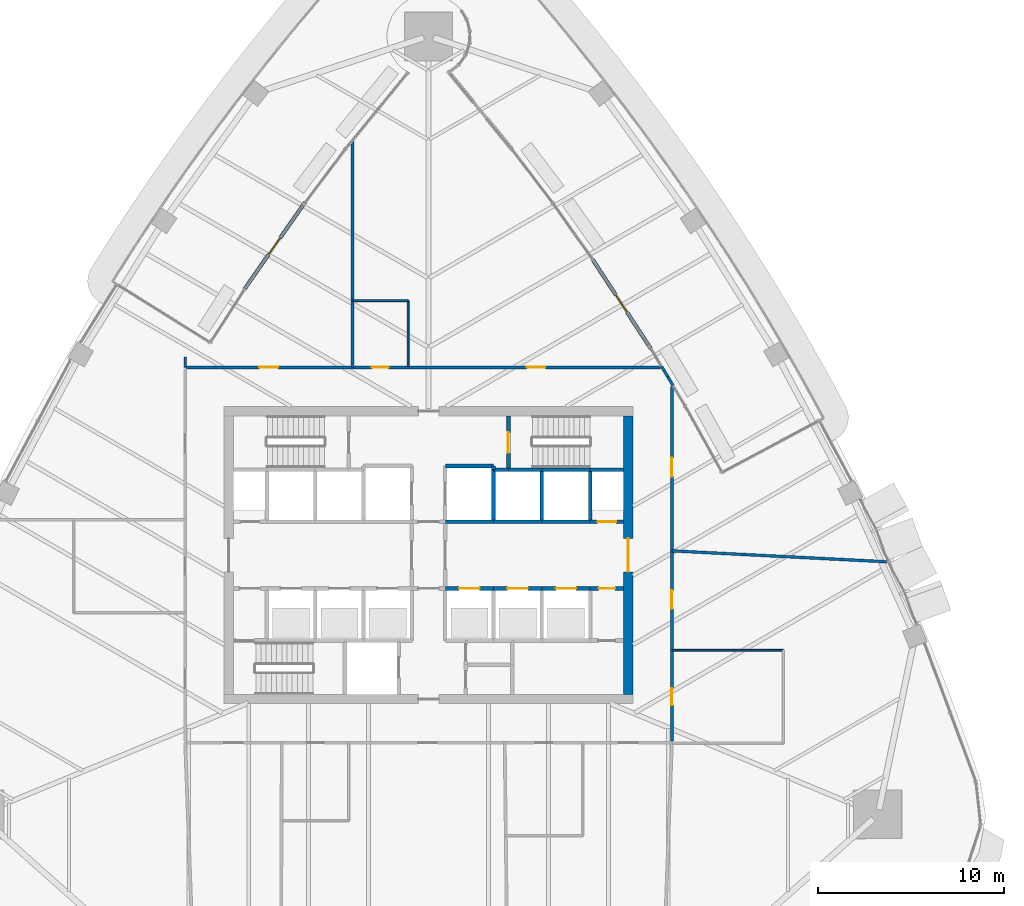
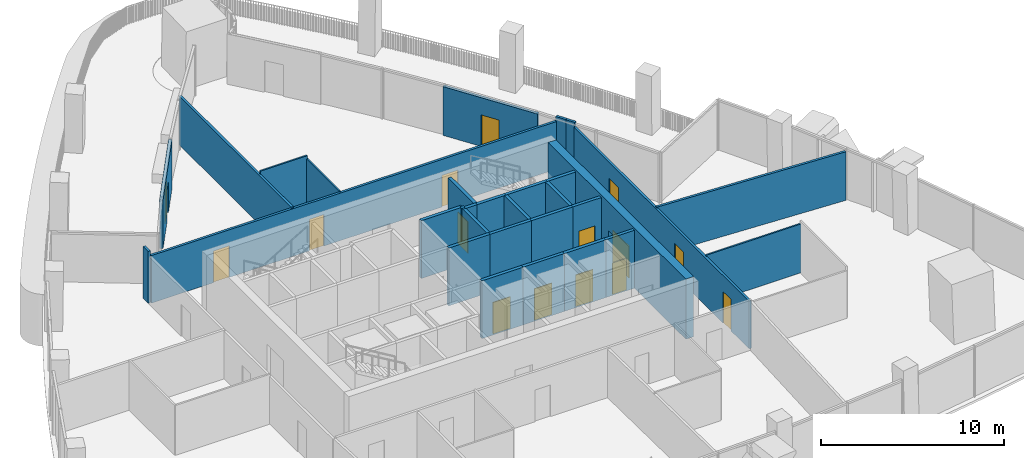
# One storey, part 15 of 21: 31 walls, 15 doors, 15 openings.
"""IFC4 building model written with IfcOpenShell, lengths in metres."""

from ifc_helpers import new_model, si_unit, direction, frame, frame_2d, origin, place, context, subcontext, project, spatial, rectangle, extrude, material, layer, layer_set, type_object, element, fill, save


model = new_model("IFC4")

# Units and contexts
model_context = context("Model", 3, precision=1e-05, world=origin(), true_north=direction((0.0, 1.0)))
body_context = subcontext(model_context, "Body", "Model", "MODEL_VIEW")
ifc_project = project(units=[si_unit("LENGTHUNIT", "METRE"), si_unit("AREAUNIT", "SQUARE_METRE"), si_unit("VOLUMEUNIT", "CUBIC_METRE"), si_unit("PLANEANGLEUNIT", "RADIAN"), si_unit("MASSUNIT", "GRAM", prefix="KILO")], contexts=[model_context])

# Site, building, storey
site_placement = place(None, origin())
site = spatial("IfcSite", under=ifc_project, at=site_placement, CompositionType="ELEMENT")
building_placement = place(site_placement, origin())
building = spatial("IfcBuilding", under=site, at=building_placement, Name="Sierra Prisma Convention Tower", CompositionType="ELEMENT")
storey_placement = place(building_placement, frame((0.0, 0.0, 157.800048828125)))
storey = spatial("IfcBuildingStorey", under=building, at=storey_placement, Name="L34", CompositionType="ELEMENT", Elevation=157.800048828125)

# Walls
ifc_material_1 = material(Name="Gypsum board partition", Category="gypsum")
ifc_layer_1 = layer(ifc_material_1, 0.10009765625)
ifc_layer_set_1 = layer_set([ifc_layer_1], Name="Bathroom partition 100")
wall_type_1 = type_object("IfcWallType", Name="Bathroom partition 100", PredefinedType="PARTITIONING", material=ifc_layer_set_1)
wall_1_placement = place(storey_placement, frame((-4.070068359375, 13.699951171875, 0.0), z_axis=(0.0, 0.0, 1.0), x_axis=(1.0, 0.0, 0.0)))
element("IfcWall", 1, at=wall_1_placement, inside=storey, type_object=wall_type_1, Name="Partition L34 bath 5", PredefinedType="PARTITIONING", context=body_context, shape_type="SweptSolid", body=[
    extrude(rectangle(XDim=2.969970703125, YDim=0.10009765625, at=frame_2d((1.48486328125, 0.0))), origin(), (0.0, 0.0, 1.0), 3.449951171875),
])
wall_2_placement = place(storey_placement, frame((-1.10009765625, 13.699951171875, 0.0), z_axis=(0.0, 0.0, 1.0), x_axis=(0.0, -1.0, 0.0)))
element("IfcWall", 2, at=wall_2_placement, inside=storey, type_object=wall_type_1, Name="Partition L34 bath 6", PredefinedType="PARTITIONING", context=body_context, shape_type="SweptSolid", body=[
    extrude(rectangle(XDim=3.570068359375, YDim=0.10009765625, at=frame_2d((1.78515625, 0.0))), origin(), (0.0, 0.0, 1.0), 3.2470703125),
])
wall_3_placement = place(storey_placement, frame((13.1298828125, -5.1201171875, 0.0), z_axis=(0.0, 0.0, 1.0), x_axis=(1.0, 0.0, 0.0)))
element("IfcWall", 3, at=wall_3_placement, inside=storey, type_object=wall_type_1, Name="Partition L34 bath 9", PredefinedType="PARTITIONING", context=body_context, shape_type="SweptSolid", body=[
    extrude(rectangle(XDim=5.97021484375, YDim=0.10009765625, at=frame_2d((2.985107421875, 0.0))), origin(), (0.0, 0.0, 1.0), 3.2470703125),
])

# Wall, opening, door
ifc_material_2 = material(Name="Concrete C30/37", Category="concrete")
ifc_layer_2 = layer(ifc_material_2, 0.199951171875)
ifc_layer_set_2 = layer_set([ifc_layer_2], Name="Core wall RC 200 C30/37")
wall_type_2 = type_object("IfcWallType", Name="Core wall RC 200 C30/37", PredefinedType="SOLIDWALL", material=ifc_layer_set_2)
wall_4_placement = place(storey_placement, frame((0.89990234375, -1.800048828125, 0.0), z_axis=(0.0, 0.0, 1.0), x_axis=(1.0, 0.0, 0.0)))
wall_4 = element("IfcWall", 4, at=wall_4_placement, inside=storey, type_object=wall_type_2, Name="Core wall L34 35", PredefinedType="SOLIDWALL", context=body_context, shape_type="SweptSolid", body=[
    extrude(rectangle(XDim=2.60009765625, YDim=0.199951171875, at=frame_2d((1.300048828125, 0.0))), origin(), (0.0, 0.0, 1.0), 3.849853515625),
])
opening_1_placement = place(wall_4_placement, frame((0.75, 0.0, 0.0)))
opening_1 = element("IfcOpeningElement", 5, at=opening_1_placement, cuts=wall_4, Name="Opening L34-D007", PredefinedType="OPENING", context=body_context, shape_type="SweptSolid", body=[
    extrude(rectangle(XDim=1.10009765625, YDim=2.10009765625, at=frame_2d((0.550048828125, 1.050048828125))), frame((0.0, 0.10009765625, 0.0), z_axis=(0.0, -1.0, 0.0), x_axis=(1.0, 0.0, 0.0)), (0.0, 0.0, 1.0), 0.199951171875),
])
ifc_material_3 = material(Name="Steel fire door leaf", Category="steel")
door_type_1 = type_object("IfcDoorType", Name="Door 1100x2100 EI 90 sliding lift landing", OperationType="SLIDING_TO_LEFT", PredefinedType="DOOR", material=ifc_material_3)
door_1_placement = place(opening_1_placement, origin())
door_1 = element("IfcDoor", 6, at=door_1_placement, inside=storey, type_object=door_type_1, Name="Door L34 18", OperationType="SLIDING_TO_RIGHT", OverallHeight=2.10009765625, OverallWidth=1.10009765625, PredefinedType="DOOR", context=body_context, shape_type="SweptSolid", body=[
    extrude(rectangle(XDim=1.10009765625, YDim=2.10009765625, at=frame_2d((0.550048828125, 1.050048828125))), frame((0.0, 0.02490234375, 0.0), z_axis=(0.0, -1.0, 0.0), x_axis=(1.0, 0.0, 0.0)), (0.0, 0.0, 1.0), 0.050048828125),
])
fill(opening_1, door_1)

# Walls
wall_5_placement = place(storey_placement, frame((3.5, 1.800048828125, 0.0), z_axis=(0.0, 0.0, 1.0), x_axis=(-1.0, 0.0, 0.0)))
element("IfcWall", 7, at=wall_5_placement, inside=storey, type_object=wall_type_2, Name="Core wall L34 39", PredefinedType="SOLIDWALL", context=body_context, shape_type="SweptSolid", body=[
    extrude(rectangle(XDim=2.60009765625, YDim=0.199951171875, at=frame_2d((1.300048828125, 0.0))), origin(), (0.0, 0.0, 1.0), 3.849853515625),
])
wall_6_placement = place(storey_placement, frame((3.5, 4.60009765625, 0.0), z_axis=(0.0, 0.0, 1.0), x_axis=(0.0, 1.0, 0.0)))
element("IfcWall", 8, at=wall_6_placement, inside=storey, type_object=wall_type_2, Name="Core wall L34 40", PredefinedType="SOLIDWALL", context=body_context, shape_type="SweptSolid", body=[
    extrude(rectangle(XDim=0.199951171875, YDim=0.199951171875, at=frame_2d((0.10009765625, 0.0))), origin(), (0.0, 0.0, 1.0), 3.849853515625),
])
wall_7_placement = place(storey_placement, frame((3.5, 4.800048828125, 0.0), z_axis=(0.0, 0.0, 1.0), x_axis=(-1.0, 0.0, 0.0)))
element("IfcWall", 9, at=wall_7_placement, inside=storey, type_object=wall_type_2, Name="Core wall L34 41", PredefinedType="SOLIDWALL", context=body_context, shape_type="SweptSolid", body=[
    extrude(rectangle(XDim=2.60009765625, YDim=0.199951171875, at=frame_2d((1.300048828125, 0.0))), origin(), (0.0, 0.0, 1.0), 3.849853515625),
])

# Wall, opening, door
wall_8_placement = place(storey_placement, frame((3.5, -1.800048828125, 0.0), z_axis=(0.0, 0.0, 1.0), x_axis=(1.0, 0.0, 0.0)))
wall_8 = element("IfcWall", 10, at=wall_8_placement, inside=storey, type_object=wall_type_2, Name="Core wall L34 49", PredefinedType="SOLIDWALL", context=body_context, shape_type="SweptSolid", body=[
    extrude(rectangle(XDim=2.60009765625, YDim=0.199951171875, at=frame_2d((1.300048828125, 0.0))), origin(), (0.0, 0.0, 1.0), 3.849853515625),
])
opening_2_placement = place(wall_8_placement, frame((0.75, 0.0, 0.0)))
opening_2 = element("IfcOpeningElement", 11, at=opening_2_placement, cuts=wall_8, Name="Opening L34-D008", PredefinedType="OPENING", context=body_context, shape_type="SweptSolid", body=[
    extrude(rectangle(XDim=1.10009765625, YDim=2.10009765625, at=frame_2d((0.550048828125, 1.050048828125))), frame((0.0, 0.10009765625, 0.0), z_axis=(0.0, -1.0, 0.0), x_axis=(1.0, 0.0, 0.0)), (0.0, 0.0, 1.0), 0.199951171875),
])
door_2_placement = place(opening_2_placement, origin())
door_2 = element("IfcDoor", 12, at=door_2_placement, inside=storey, type_object=door_type_1, Name="Door L34 19", OperationType="SLIDING_TO_LEFT", OverallHeight=2.10009765625, OverallWidth=1.10009765625, PredefinedType="DOOR", context=body_context, shape_type="SweptSolid", body=[
    extrude(rectangle(XDim=1.10009765625, YDim=2.10009765625, at=frame_2d((0.550048828125, 1.050048828125))), frame((0.0, 0.02490234375, 0.0), z_axis=(0.0, -1.0, 0.0), x_axis=(1.0, 0.0, 0.0)), (0.0, 0.0, 1.0), 0.050048828125),
])
fill(opening_2, door_2)

# Walls
wall_9_placement = place(storey_placement, frame((6.10009765625, 1.800048828125, 0.0), z_axis=(0.0, 0.0, 1.0), x_axis=(-1.0, 0.0, 0.0)))
element("IfcWall", 13, at=wall_9_placement, inside=storey, type_object=wall_type_2, Name="Core wall L34 50", PredefinedType="SOLIDWALL", context=body_context, shape_type="SweptSolid", body=[
    extrude(rectangle(XDim=2.60009765625, YDim=0.199951171875, at=frame_2d((1.300048828125, 0.0))), origin(), (0.0, 0.0, 1.0), 3.849853515625),
])
wall_10_placement = place(storey_placement, frame((3.5, 1.800048828125, 0.0), z_axis=(0.0, 0.0, 1.0), x_axis=(0.0, 1.0, 0.0)))
element("IfcWall", 14, at=wall_10_placement, inside=storey, type_object=wall_type_2, Name="Core wall L34 51", PredefinedType="SOLIDWALL", context=body_context, shape_type="SweptSolid", body=[
    extrude(rectangle(XDim=2.800048828125, YDim=0.199951171875, at=frame_2d((1.39990234375, 0.0))), origin(), (0.0, 0.0, 1.0), 3.849853515625),
])
wall_11_placement = place(storey_placement, frame((4.300048828125, 4.60009765625, 0.0), z_axis=(0.0, 0.0, 1.0), x_axis=(-1.0, 0.0, 0.0)))
element("IfcWall", 15, at=wall_11_placement, inside=storey, type_object=wall_type_2, Name="Core wall L34 52", PredefinedType="SOLIDWALL", context=body_context, shape_type="SweptSolid", body=[
    extrude(rectangle(XDim=0.800048828125, YDim=0.199951171875, at=frame_2d((0.39990234375, 0.0))), origin(), (0.0, 0.0, 1.0), 3.849853515625),
])
wall_12_placement = place(storey_placement, frame((6.10009765625, 4.60009765625, 0.0), z_axis=(0.0, 0.0, 1.0), x_axis=(-1.0, 0.0, 0.0)))
element("IfcWall", 16, at=wall_12_placement, inside=storey, type_object=wall_type_2, Name="Core wall L34 53", PredefinedType="SOLIDWALL", context=body_context, shape_type="SweptSolid", body=[
    extrude(rectangle(XDim=1.800048828125, YDim=0.199951171875, at=frame_2d((0.89990234375, 0.0))), origin(), (0.0, 0.0, 1.0), 3.849853515625),
])

# Wall, opening, door
wall_13_placement = place(storey_placement, frame((4.300048828125, 7.5, 0.0), z_axis=(0.0, 0.0, 1.0), x_axis=(0.0, -1.0, 0.0)))
wall_13 = element("IfcWall", 17, at=wall_13_placement, inside=storey, type_object=wall_type_2, Name="Core wall L34 54", PredefinedType="SOLIDWALL", context=body_context, shape_type="SweptSolid", body=[
    extrude(rectangle(XDim=2.89990234375, YDim=0.199951171875, at=frame_2d((1.449951171875, 0.0))), origin(), (0.0, 0.0, 1.0), 3.849853515625),
])
opening_3_placement = place(wall_13_placement, frame((0.89990234375, 0.0, 0.0)))
opening_3 = element("IfcOpeningElement", 18, at=opening_3_placement, cuts=wall_13, Name="Opening L34-D022", PredefinedType="OPENING", context=body_context, shape_type="SweptSolid", body=[
    extrude(rectangle(XDim=1.10009765625, YDim=2.10009765625, at=frame_2d((0.550048828125, 1.050048828125))), frame((0.0, 0.10009765625, 0.0), z_axis=(0.0, -1.0, 0.0), x_axis=(1.0, 0.0, 0.0)), (0.0, 0.0, 1.0), 0.199951171875),
])
ifc_material_4 = material(Name="Steel fire door leaf", Category="steel")
door_type_2 = type_object("IfcDoorType", Name="Door 1100x2100 FD90S", OperationType="SINGLE_SWING_LEFT", PredefinedType="DOOR", material=ifc_material_4)
door_3_placement = place(opening_3_placement, origin())
door_3 = element("IfcDoor", 19, at=door_3_placement, inside=storey, type_object=door_type_2, Name="Door L34 33", OperationType="SINGLE_SWING_RIGHT", OverallHeight=2.10009765625, OverallWidth=1.10009765625, PredefinedType="DOOR", context=body_context, shape_type="SweptSolid", body=[
    extrude(rectangle(XDim=1.10009765625, YDim=2.10009765625, at=frame_2d((0.550048828125, 1.050048828125))), frame((0.0, 0.02490234375, 0.0), z_axis=(0.0, -1.0, 0.0), x_axis=(1.0, 0.0, 0.0)), (0.0, 0.0, 1.0), 0.050048828125),
])
fill(opening_3, door_3)

wall_14_placement = place(storey_placement, frame((6.10009765625, -1.800048828125, 0.0), z_axis=(0.0, 0.0, 1.0), x_axis=(1.0, 0.0, 0.0)))
wall_14 = element("IfcWall", 20, at=wall_14_placement, inside=storey, type_object=wall_type_2, Name="Core wall L34 60", PredefinedType="SOLIDWALL", context=body_context, shape_type="SweptSolid", body=[
    extrude(rectangle(XDim=2.599853515625, YDim=0.199951171875, at=frame_2d((1.2998046875, 0.0))), origin(), (0.0, 0.0, 1.0), 3.849853515625),
])
opening_4_placement = place(wall_14_placement, frame((0.75, 0.0, 0.0)))
opening_4 = element("IfcOpeningElement", 21, at=opening_4_placement, cuts=wall_14, Name="Opening L34-D009", PredefinedType="OPENING", context=body_context, shape_type="SweptSolid", body=[
    extrude(rectangle(XDim=1.10009765625, YDim=2.10009765625, at=frame_2d((0.550048828125, 1.050048828125))), frame((0.0, 0.10009765625, 0.0), z_axis=(0.0, -1.0, 0.0), x_axis=(1.0, 0.0, 0.0)), (0.0, 0.0, 1.0), 0.199951171875),
])
door_4_placement = place(opening_4_placement, origin())
door_4 = element("IfcDoor", 22, at=door_4_placement, inside=storey, type_object=door_type_1, Name="Door L34 20", OperationType="SLIDING_TO_LEFT", OverallHeight=2.10009765625, OverallWidth=1.10009765625, PredefinedType="DOOR", context=body_context, shape_type="SweptSolid", body=[
    extrude(rectangle(XDim=1.10009765625, YDim=2.10009765625, at=frame_2d((0.550048828125, 1.050048828125))), frame((0.0, 0.02490234375, 0.0), z_axis=(0.0, -1.0, 0.0), x_axis=(1.0, 0.0, 0.0)), (0.0, 0.0, 1.0), 0.050048828125),
])
fill(opening_4, door_4)

# Walls
wall_15_placement = place(storey_placement, frame((8.699951171875, 1.800048828125, 0.0), z_axis=(0.0, 0.0, 1.0), x_axis=(-1.0, 0.0, 0.0)))
element("IfcWall", 23, at=wall_15_placement, inside=storey, type_object=wall_type_2, Name="Core wall L34 61", PredefinedType="SOLIDWALL", context=body_context, shape_type="SweptSolid", body=[
    extrude(rectangle(XDim=2.599853515625, YDim=0.199951171875, at=frame_2d((1.2998046875, 0.0))), origin(), (0.0, 0.0, 1.0), 3.849853515625),
])
wall_16_placement = place(storey_placement, frame((6.10009765625, 1.800048828125, 0.0), z_axis=(0.0, 0.0, 1.0), x_axis=(0.0, 1.0, 0.0)))
element("IfcWall", 24, at=wall_16_placement, inside=storey, type_object=wall_type_2, Name="Core wall L34 62", PredefinedType="SOLIDWALL", context=body_context, shape_type="SweptSolid", body=[
    extrude(rectangle(XDim=2.800048828125, YDim=0.199951171875, at=frame_2d((1.39990234375, 0.0))), origin(), (0.0, 0.0, 1.0), 3.849853515625),
])
wall_17_placement = place(storey_placement, frame((8.699951171875, 4.60009765625, 0.0), z_axis=(0.0, 0.0, 1.0), x_axis=(-1.0, 0.0, 0.0)))
element("IfcWall", 25, at=wall_17_placement, inside=storey, type_object=wall_type_2, Name="Core wall L34 63", PredefinedType="SOLIDWALL", context=body_context, shape_type="SweptSolid", body=[
    extrude(rectangle(XDim=2.599853515625, YDim=0.199951171875, at=frame_2d((1.2998046875, 0.0))), origin(), (0.0, 0.0, 1.0), 3.849853515625),
])

# Wall, opening, door
wall_18_placement = place(storey_placement, frame((8.699951171875, -1.800048828125, 0.0), z_axis=(0.0, 0.0, 1.0), x_axis=(1.0, 0.0, 0.0)))
wall_18 = element("IfcWall", 26, at=wall_18_placement, inside=storey, type_object=wall_type_2, Name="Core wall L34 66", PredefinedType="SOLIDWALL", context=body_context, shape_type="SweptSolid", body=[
    extrude(rectangle(XDim=1.800048828125, YDim=0.199951171875, at=frame_2d((0.89990234375, 0.0))), origin(), (0.0, 0.0, 1.0), 3.849853515625),
])
opening_5_placement = place(wall_18_placement, frame((0.449951171875, 0.0, 0.0)))
opening_5 = element("IfcOpeningElement", 27, at=opening_5_placement, cuts=wall_18, Name="Opening L34-D024", PredefinedType="OPENING", context=body_context, shape_type="SweptSolid", body=[
    extrude(rectangle(XDim=0.89990234375, YDim=2.10009765625, at=frame_2d((0.449951171875, 1.050048828125))), frame((0.0, 0.10009765625, 0.0), z_axis=(0.0, -1.0, 0.0), x_axis=(1.0, 0.0, 0.0)), (0.0, 0.0, 1.0), 0.199951171875),
])
ifc_material_5 = material(Name="Steel fire door leaf", Category="steel")
door_type_3 = type_object("IfcDoorType", Name="Door 900x2100 FD30S", OperationType="SINGLE_SWING_LEFT", PredefinedType="DOOR", material=ifc_material_5)
door_5_placement = place(opening_5_placement, origin())
door_5 = element("IfcDoor", 28, at=door_5_placement, inside=storey, type_object=door_type_3, Name="Door L34 35", OperationType="SINGLE_SWING_RIGHT", OverallHeight=2.10009765625, OverallWidth=0.89990234375, PredefinedType="DOOR", context=body_context, shape_type="SweptSolid", body=[
    extrude(rectangle(XDim=0.89990234375, YDim=2.10009765625, at=frame_2d((0.449951171875, 1.050048828125))), frame((0.0, 0.02490234375, 0.0), z_axis=(0.0, -1.0, 0.0), x_axis=(1.0, 0.0, 0.0)), (0.0, 0.0, 1.0), 0.050048828125),
])
fill(opening_5, door_5)

wall_19_placement = place(storey_placement, frame((10.5, 1.800048828125, 0.0), z_axis=(0.0, 0.0, 1.0), x_axis=(-1.0, 0.0, 0.0)))
wall_19 = element("IfcWall", 29, at=wall_19_placement, inside=storey, type_object=wall_type_2, Name="Core wall L34 67", PredefinedType="SOLIDWALL", context=body_context, shape_type="SweptSolid", body=[
    extrude(rectangle(XDim=1.800048828125, YDim=0.199951171875, at=frame_2d((0.89990234375, 0.0))), origin(), (0.0, 0.0, 1.0), 3.849853515625),
])
opening_6_placement = place(wall_19_placement, frame((0.39990234375, 0.0, 0.0)))
opening_6 = element("IfcOpeningElement", 30, at=opening_6_placement, cuts=wall_19, Name="Opening L34-D019", PredefinedType="OPENING", context=body_context, shape_type="SweptSolid", body=[
    extrude(rectangle(XDim=1.0, YDim=2.10009765625, at=frame_2d((0.5, 1.050048828125))), frame((0.0, 0.10009765625, 0.0), z_axis=(0.0, -1.0, 0.0), x_axis=(1.0, 0.0, 0.0)), (0.0, 0.0, 1.0), 0.199951171875),
])
ifc_material_6 = material(Name="Steel fire door leaf", Category="steel")
door_type_4 = type_object("IfcDoorType", Name="Door 1000x2100 FD60S", OperationType="SINGLE_SWING_LEFT", PredefinedType="DOOR", material=ifc_material_6)
door_6_placement = place(opening_6_placement, origin())
door_6 = element("IfcDoor", 31, at=door_6_placement, inside=storey, type_object=door_type_4, Name="Door L34 30", OperationType="SINGLE_SWING_LEFT", OverallHeight=2.10009765625, OverallWidth=1.0, PredefinedType="DOOR", context=body_context, shape_type="SweptSolid", body=[
    extrude(rectangle(XDim=1.0, YDim=2.10009765625, at=frame_2d((0.5, 1.050048828125))), frame((0.0, 0.02490234375, 0.0), z_axis=(0.0, -1.0, 0.0), x_axis=(1.0, 0.0, 0.0)), (0.0, 0.0, 1.0), 0.050048828125),
])
fill(opening_6, door_6)

# Walls
wall_20_placement = place(storey_placement, frame((8.699951171875, 4.60009765625, 0.0), z_axis=(0.0, 0.0, 1.0), x_axis=(0.0, -1.0, 0.0)))
element("IfcWall", 32, at=wall_20_placement, inside=storey, type_object=wall_type_2, Name="Core wall L34 68", PredefinedType="SOLIDWALL", context=body_context, shape_type="SweptSolid", body=[
    extrude(rectangle(XDim=2.800048828125, YDim=0.199951171875, at=frame_2d((1.39990234375, 0.0))), origin(), (0.0, 0.0, 1.0), 3.849853515625),
])
wall_21_placement = place(storey_placement, frame((10.5, 4.60009765625, 0.0), z_axis=(0.0, 0.0, 1.0), x_axis=(-1.0, 0.0, 0.0)))
element("IfcWall", 33, at=wall_21_placement, inside=storey, type_object=wall_type_2, Name="Core wall L34 69", PredefinedType="SOLIDWALL", context=body_context, shape_type="SweptSolid", body=[
    extrude(rectangle(XDim=1.800048828125, YDim=0.199951171875, at=frame_2d((0.89990234375, 0.0))), origin(), (0.0, 0.0, 1.0), 3.849853515625),
])

# Wall, opening, door
ifc_material_7 = material(Name="Concrete C60/75", Category="concrete")
ifc_layer_3 = layer(ifc_material_7, 0.5)
ifc_layer_set_3 = layer_set([ifc_layer_3], Name="Core wall RC 500 C60/75")
wall_type_3 = type_object("IfcWallType", Name="Core wall RC 500 C60/75", PredefinedType="SHEAR", material=ifc_layer_set_3)
wall_22_placement = place(storey_placement, frame((10.75, -7.5, 0.0), z_axis=(0.0, 0.0, 1.0), x_axis=(0.0, 1.0, 0.0)))
wall_22 = element("IfcWall", 34, at=wall_22_placement, inside=storey, type_object=wall_type_3, Name="Core wall E L34", PredefinedType="SHEAR", context=body_context, shape_type="SweptSolid", body=[
    extrude(rectangle(XDim=15.0, YDim=0.5, at=frame_2d((7.5, 0.0))), origin(), (0.0, 0.0, 1.0), 4.0),
])
opening_7_placement = place(wall_22_placement, frame((6.60009765625, 0.0, 0.0)))
opening_7 = element("IfcOpeningElement", 35, at=opening_7_placement, cuts=wall_22, Name="Opening L34-D041", PredefinedType="OPENING", context=body_context, shape_type="SweptSolid", body=[
    extrude(rectangle(XDim=1.800048828125, YDim=2.10009765625, at=frame_2d((0.89990234375, 1.050048828125))), frame((0.0, 0.25, 0.0), z_axis=(0.0, -1.0, 0.0), x_axis=(1.0, 0.0, 0.0)), (0.0, 0.0, 1.0), 0.5),
])
ifc_material_8 = material(Name="Steel fire door leaf", Category="steel")
door_type_5 = type_object("IfcDoorType", Name="Door 1800x2100 FD60S", OperationType="DOUBLE_DOOR_SINGLE_SWING", PredefinedType="DOOR", material=ifc_material_8)
door_7_placement = place(opening_7_placement, origin())
door_7 = element("IfcDoor", 36, at=door_7_placement, inside=storey, type_object=door_type_5, Name="Door L34 39", OperationType="DOUBLE_DOOR_SINGLE_SWING", OverallHeight=2.10009765625, OverallWidth=1.800048828125, PredefinedType="DOOR", context=body_context, shape_type="SweptSolid", body=[
    extrude(rectangle(XDim=1.800048828125, YDim=2.10009765625, at=frame_2d((0.89990234375, 1.050048828125))), frame((0.0, 0.02490234375, 0.0), z_axis=(0.0, -1.0, 0.0), x_axis=(1.0, 0.0, 0.0)), (0.0, 0.0, 1.0), 0.050048828125),
])
fill(opening_7, door_7)

# Wall
ifc_material_9 = material(Name="Gypsum board partition", Category="gypsum")
ifc_layer_4 = layer(ifc_material_9, 0.14990234375)
ifc_layer_set_4 = layer_set([ifc_layer_4], Name="Corridor wall 150 gypsum EI 60")
wall_type_4 = type_object("IfcWallType", Name="Corridor wall 150 gypsum EI 60", PredefinedType="PARTITIONING", material=ifc_layer_set_4)
wall_23_placement = place(storey_placement, frame((12.88427734375, 9.594482421875, 0.0), z_axis=(0.0, 0.0, 1.0), x_axis=(-0.520280350627, 0.853995525019, 0.0)))
element("IfcWall", 37, at=wall_23_placement, inside=storey, type_object=wall_type_4, Name="Partition L34 corr 3", PredefinedType="PARTITIONING", context=body_context, shape_type="SweptSolid", body=[
    extrude(rectangle(XDim=0.650390625, YDim=0.14990234375, at=frame_2d((0.3251953125, 0.0))), origin(), (0.0, 0.0, 1.0), 3.449951171875),
])

# Wall, openings, doors
wall_24_placement = place(storey_placement, frame((12.483642578125, 10.10009765625, 0.0), z_axis=(0.0, 0.0, 1.0), x_axis=(-1.0, 0.0, 0.0)))
wall_24 = element("IfcWall", 38, at=wall_24_placement, inside=storey, type_object=wall_type_4, Name="Partition L34 corr 4", PredefinedType="PARTITIONING", context=body_context, shape_type="SweptSolid", body=[
    extrude(rectangle(XDim=25.503662109375, YDim=0.14990234375, at=frame_2d((12.751953125, 0.0))), origin(), (0.0, 0.0, 1.0), 3.166015625),
])
opening_8_placement = place(wall_24_placement, frame((14.6337890625, 0.0, 0.0)))
opening_8 = element("IfcOpeningElement", 39, at=opening_8_placement, cuts=wall_24, Name="Opening L34-D028", PredefinedType="OPENING", context=body_context, shape_type="SweptSolid", body=[
    extrude(rectangle(XDim=0.89990234375, YDim=2.10009765625, at=frame_2d((0.449951171875, 1.050048828125))), frame((0.0, 0.074951171875, 0.0), z_axis=(0.0, -1.0, 0.0), x_axis=(1.0, 0.0, 0.0)), (0.0, 0.0, 1.0), 0.14990234375),
])
opening_9_placement = place(wall_24_placement, frame((6.195556640625, 0.0, 0.0)))
opening_9 = element("IfcOpeningElement", 40, at=opening_9_placement, cuts=wall_24, Name="Opening L34-D029", PredefinedType="OPENING", context=body_context, shape_type="SweptSolid", body=[
    extrude(rectangle(XDim=1.0, YDim=2.10009765625, at=frame_2d((0.5, 1.050048828125))), frame((0.0, 0.074951171875, 0.0), z_axis=(0.0, -1.0, 0.0), x_axis=(1.0, 0.0, 0.0)), (0.0, 0.0, 1.0), 0.14990234375),
])
opening_10_placement = place(wall_24_placement, frame((20.583740234375, 0.0, 0.0)))
opening_10 = element("IfcOpeningElement", 41, at=opening_10_placement, cuts=wall_24, Name="Opening L34-D030", PredefinedType="OPENING", context=body_context, shape_type="SweptSolid", body=[
    extrude(rectangle(XDim=1.0, YDim=2.10009765625, at=frame_2d((0.5, 1.050048828125))), frame((0.0, 0.074951171875, 0.0), z_axis=(0.0, -1.0, 0.0), x_axis=(1.0, 0.0, 0.0)), (0.0, 0.0, 1.0), 0.14990234375),
])
ifc_material_10 = material(Name="Steel fire door leaf", Category="steel")
door_type_6 = type_object("IfcDoorType", Name="Door 1000x2100 FD30S", OperationType="SINGLE_SWING_LEFT", PredefinedType="DOOR", material=ifc_material_10)
door_8_placement = place(opening_9_placement, origin())
door_8 = element("IfcDoor", 42, at=door_8_placement, inside=storey, type_object=door_type_6, Name="Door L34 3", OperationType="SINGLE_SWING_RIGHT", OverallHeight=2.10009765625, OverallWidth=1.0, PredefinedType="DOOR", context=body_context, shape_type="SweptSolid", body=[
    extrude(rectangle(XDim=1.0, YDim=2.10009765625, at=frame_2d((0.5, 1.050048828125))), frame((0.0, 0.02490234375, 0.0), z_axis=(0.0, -1.0, 0.0), x_axis=(1.0, 0.0, 0.0)), (0.0, 0.0, 1.0), 0.050048828125),
])
fill(opening_9, door_8)
door_9_placement = place(opening_10_placement, origin())
door_9 = element("IfcDoor", 43, at=door_9_placement, inside=storey, type_object=door_type_6, Name="Door L34 4", OperationType="SINGLE_SWING_LEFT", OverallHeight=2.10009765625, OverallWidth=1.0, PredefinedType="DOOR", context=body_context, shape_type="SweptSolid", body=[
    extrude(rectangle(XDim=1.0, YDim=2.10009765625, at=frame_2d((0.5, 1.050048828125))), frame((0.0, 0.02490234375, 0.0), z_axis=(0.0, -1.0, 0.0), x_axis=(1.0, 0.0, 0.0)), (0.0, 0.0, 1.0), 0.050048828125),
])
fill(opening_10, door_9)
door_10_placement = place(opening_8_placement, origin())
door_10 = element("IfcDoor", 44, at=door_10_placement, inside=storey, type_object=door_type_3, Name="Door L34 2", OperationType="SINGLE_SWING_RIGHT", OverallHeight=2.10009765625, OverallWidth=0.89990234375, PredefinedType="DOOR", context=body_context, shape_type="SweptSolid", body=[
    extrude(rectangle(XDim=0.89990234375, YDim=2.10009765625, at=frame_2d((0.449951171875, 1.050048828125))), frame((0.0, 0.02490234375, 0.0), z_axis=(0.0, -1.0, 0.0), x_axis=(1.0, 0.0, 0.0)), (0.0, 0.0, 1.0), 0.050048828125),
])
fill(opening_8, door_10)

wall_25_placement = place(storey_placement, frame((13.10009765625, -10.02001953125, 0.0), z_axis=(0.0, 0.0, 1.0), x_axis=(0.0, 1.0, 0.0)))
wall_25 = element("IfcWall", 45, at=wall_25_placement, inside=storey, type_object=wall_type_4, Name="Partition L34 corr 5", PredefinedType="PARTITIONING", context=body_context, shape_type="SweptSolid", body=[
    extrude(rectangle(XDim=19.094482421875, YDim=0.14990234375, at=frame_2d((9.54736328125, 0.0))), origin(), (0.0, 0.0, 1.0), 3.166015625),
])
opening_11_placement = place(wall_25_placement, frame((14.247314453125, 0.0, 0.0)))
opening_11 = element("IfcOpeningElement", 46, at=opening_11_placement, cuts=wall_25, Name="Opening L34-D027", PredefinedType="OPENING", context=body_context, shape_type="SweptSolid", body=[
    extrude(rectangle(XDim=1.0, YDim=2.10009765625, at=frame_2d((0.5, 1.050048828125))), frame((0.0, 0.074951171875, 0.0), z_axis=(0.0, -1.0, 0.0), x_axis=(1.0, 0.0, 0.0)), (0.0, 0.0, 1.0), 0.14990234375),
])
opening_12_placement = place(wall_25_placement, frame((1.949951171875, 0.0, 0.0)))
opening_12 = element("IfcOpeningElement", 47, at=opening_12_placement, cuts=wall_25, Name="Opening L34-D039", PredefinedType="OPENING", context=body_context, shape_type="SweptSolid", body=[
    extrude(rectangle(XDim=0.89990234375, YDim=2.10009765625, at=frame_2d((0.449951171875, 1.050048828125))), frame((0.0, 0.074951171875, 0.0), z_axis=(0.0, -1.0, 0.0), x_axis=(1.0, 0.0, 0.0)), (0.0, 0.0, 1.0), 0.14990234375),
])
opening_13_placement = place(wall_25_placement, frame((7.123779296875, 0.0, 0.0)))
opening_13 = element("IfcOpeningElement", 48, at=opening_13_placement, cuts=wall_25, Name="Opening L34-D040", PredefinedType="OPENING", context=body_context, shape_type="SweptSolid", body=[
    extrude(rectangle(XDim=1.0, YDim=2.10009765625, at=frame_2d((0.5, 1.050048828125))), frame((0.0, 0.074951171875, 0.0), z_axis=(0.0, -1.0, 0.0), x_axis=(1.0, 0.0, 0.0)), (0.0, 0.0, 1.0), 0.14990234375),
])
door_11_placement = place(opening_11_placement, origin())
door_11 = element("IfcDoor", 49, at=door_11_placement, inside=storey, type_object=door_type_6, Name="Door L34 1", OperationType="SINGLE_SWING_LEFT", OverallHeight=2.10009765625, OverallWidth=1.0, PredefinedType="DOOR", context=body_context, shape_type="SweptSolid", body=[
    extrude(rectangle(XDim=1.0, YDim=2.10009765625, at=frame_2d((0.5, 1.050048828125))), frame((0.0, 0.02490234375, 0.0), z_axis=(0.0, -1.0, 0.0), x_axis=(1.0, 0.0, 0.0)), (0.0, 0.0, 1.0), 0.050048828125),
])
fill(opening_11, door_11)
door_12_placement = place(opening_13_placement, origin())
door_12 = element("IfcDoor", 50, at=door_12_placement, inside=storey, type_object=door_type_6, Name="Door L34 14", OperationType="SINGLE_SWING_RIGHT", OverallHeight=2.10009765625, OverallWidth=1.0, PredefinedType="DOOR", context=body_context, shape_type="SweptSolid", body=[
    extrude(rectangle(XDim=1.0, YDim=2.10009765625, at=frame_2d((0.5, 1.050048828125))), frame((0.0, 0.02490234375, 0.0), z_axis=(0.0, -1.0, 0.0), x_axis=(1.0, 0.0, 0.0)), (0.0, 0.0, 1.0), 0.050048828125),
])
fill(opening_13, door_12)
door_13_placement = place(opening_12_placement, origin())
door_13 = element("IfcDoor", 51, at=door_13_placement, inside=storey, type_object=door_type_3, Name="Door L34 13", OperationType="SINGLE_SWING_LEFT", OverallHeight=2.10009765625, OverallWidth=0.89990234375, PredefinedType="DOOR", context=body_context, shape_type="SweptSolid", body=[
    extrude(rectangle(XDim=0.89990234375, YDim=2.10009765625, at=frame_2d((0.449951171875, 1.050048828125))), frame((0.0, 0.02490234375, 0.0), z_axis=(0.0, -1.0, 0.0), x_axis=(1.0, 0.0, 0.0)), (0.0, 0.0, 1.0), 0.050048828125),
])
fill(opening_12, door_13)

# Walls
wall_26_placement = place(storey_placement, frame((13.14990234375, 9.142333984375, 0.0), z_axis=(0.0, 0.0, 1.0), x_axis=(-0.506531743392, 0.8622213132, 0.0)))
element("IfcWall", 52, at=wall_26_placement, inside=storey, type_object=wall_type_4, Name="Partition L34 corr 6", PredefinedType="PARTITIONING", context=body_context, shape_type="SweptSolid", body=[
    extrude(rectangle(XDim=0.5244140625, YDim=0.14990234375, at=frame_2d((0.26220703125, 0.0))), origin(), (0.0, 0.0, 1.0), 3.449951171875),
])
ifc_material_11 = material(Name="Gypsum board partition", Category="gypsum")
ifc_layer_5 = layer(ifc_material_11, 0.14990234375)
ifc_layer_set_5 = layer_set([ifc_layer_5], Name="Party wall 150 gypsum")
wall_type_5 = type_object("IfcWallType", Name="Party wall 150 gypsum", PredefinedType="PARTITIONING", material=ifc_layer_set_5)
wall_27_placement = place(storey_placement, frame((-13.10009765625, 10.10009765625, 0.0), z_axis=(0.0, 0.0, 1.0), x_axis=(0.0, 1.0, 0.0)))
element("IfcWall", 53, at=wall_27_placement, inside=storey, type_object=wall_type_5, Name="Partition L34 party 3", PredefinedType="PARTITIONING", context=body_context, shape_type="SweptSolid", body=[
    extrude(rectangle(XDim=0.56591796875, YDim=0.14990234375, at=frame_2d((0.282958984375, 0.0))), origin(), (0.0, 0.0, 1.0), 3.449951171875),
])
wall_28_placement = place(storey_placement, frame((-4.10009765625, 10.10009765625, 0.0), z_axis=(0.0, 0.0, 1.0), x_axis=(0.0, 1.0, 0.0)))
element("IfcWall", 54, at=wall_28_placement, inside=storey, type_object=wall_type_5, Name="Partition L34 party 5", PredefinedType="PARTITIONING", context=body_context, shape_type="SweptSolid", body=[
    extrude(rectangle(XDim=12.232666015625, YDim=0.14990234375, at=frame_2d((6.1162109375, 0.0))), origin(), (0.0, 0.0, 1.0), 3.2470703125),
])
wall_29_placement = place(storey_placement, frame((24.655517578125, -0.3603515625, 0.0), z_axis=(0.0, 0.0, 1.0), x_axis=(-0.998709406586, 0.050788986957, 0.0)))
element("IfcWall", 55, at=wall_29_placement, inside=storey, type_object=wall_type_5, Name="Partition L34 party 8", PredefinedType="PARTITIONING", context=body_context, shape_type="SweptSolid", body=[
    extrude(rectangle(XDim=11.5703125, YDim=0.14990234375, at=frame_2d((5.78515625, 0.0))), origin(), (0.0, 0.0, 1.0), 3.23388671875),
])

# Wall, opening, door
ifc_material_12 = material(Name="Precast concrete C40/50", Category="concrete")
ifc_layer_6 = layer(ifc_material_12, 0.199951171875)
ifc_layer_set_6 = layer_set([ifc_layer_6], Name="Terrace door pier")
wall_type_6 = type_object("IfcWallType", Name="Terrace door pier", PredefinedType="SOLIDWALL", material=ifc_layer_set_6)
wall_30_placement = place(storey_placement, frame((11.962646484375, 11.11376953125, 0.0), z_axis=(0.0, 0.0, 1.0), x_axis=(-0.546319313839, 0.83757698591, 0.0)))
wall_30 = element("IfcWall", 56, at=wall_30_placement, inside=storey, type_object=wall_type_6, Name="Terrace door bay L34.3", PredefinedType="SOLIDWALL", context=body_context, shape_type="SweptSolid", body=[
    extrude(rectangle(XDim=5.780517578125, YDim=0.199951171875, at=frame_2d((2.89013671875, 0.0))), origin(), (0.0, 0.0, 1.0), 3.2470703125),
])
opening_14_placement = place(wall_30_placement, frame((2.340087890625, 0.0, 0.0)))
opening_14 = element("IfcOpeningElement", 57, at=opening_14_placement, cuts=wall_30, Name="Opening L34-D001", PredefinedType="OPENING", context=body_context, shape_type="SweptSolid", body=[
    extrude(rectangle(XDim=1.10009765625, YDim=2.10009765625, at=frame_2d((0.550048828125, 1.050048828125))), frame((0.0, 0.10009765625, 0.0), z_axis=(0.0, -1.0, 0.0), x_axis=(1.0, 0.0, 0.0)), (0.0, 0.0, 1.0), 0.199951171875),
])
ifc_material_13 = material(Name="Bronze anodised aluminium and glass", Category="aluminium")
door_type_7 = type_object("IfcDoorType", Name="Terrace door 1100 x 2100", OperationType="SINGLE_SWING_LEFT", PredefinedType="DOOR", material=ifc_material_13)
door_14_placement = place(opening_14_placement, origin())
door_14 = element("IfcDoor", 58, at=door_14_placement, inside=storey, type_object=door_type_7, Name="Terrace door L34.3", OperationType="SINGLE_SWING_RIGHT", OverallHeight=2.10009765625, OverallWidth=1.10009765625, PredefinedType="DOOR", context=body_context, shape_type="SweptSolid", body=[
    extrude(rectangle(XDim=1.10009765625, YDim=2.10009765625, at=frame_2d((0.550048828125, 1.050048828125))), frame((0.0, 0.02490234375, 0.0), z_axis=(0.0, -1.0, 0.0), x_axis=(1.0, 0.0, 0.0)), (0.0, 0.0, 1.0), 0.050048828125),
])
fill(opening_14, door_14)

wall_31_placement = place(storey_placement, frame((-6.642822265625, 18.99951171875, 0.0), z_axis=(0.0, 0.0, 1.0), x_axis=(-0.572044171243, -0.820222814939, 0.0)))
wall_31 = element("IfcWall", 59, at=wall_31_placement, inside=storey, type_object=wall_type_6, Name="Terrace door bay L34.33", PredefinedType="SOLIDWALL", context=body_context, shape_type="SweptSolid", body=[
    extrude(rectangle(XDim=5.7802734375, YDim=0.199951171875, at=frame_2d((2.89013671875, 0.0))), origin(), (0.0, 0.0, 1.0), 3.2470703125),
])
opening_15_placement = place(wall_31_placement, frame((2.340087890625, 0.0, 0.0)))
opening_15 = element("IfcOpeningElement", 60, at=opening_15_placement, cuts=wall_31, Name="Opening L34-D002", PredefinedType="OPENING", context=body_context, shape_type="SweptSolid", body=[
    extrude(rectangle(XDim=1.10009765625, YDim=2.10009765625, at=frame_2d((0.550048828125, 1.050048828125))), frame((0.0, 0.10009765625, 0.0), z_axis=(0.0, -1.0, 0.0), x_axis=(1.0, 0.0, 0.0)), (0.0, 0.0, 1.0), 0.199951171875),
])
door_15_placement = place(opening_15_placement, origin())
door_15 = element("IfcDoor", 61, at=door_15_placement, inside=storey, type_object=door_type_7, Name="Terrace door L34.33", OperationType="SINGLE_SWING_RIGHT", OverallHeight=2.10009765625, OverallWidth=1.10009765625, PredefinedType="DOOR", context=body_context, shape_type="SweptSolid", body=[
    extrude(rectangle(XDim=1.10009765625, YDim=2.10009765625, at=frame_2d((0.550048828125, 1.050048828125))), frame((0.0, 0.02490234375, 0.0), z_axis=(0.0, -1.0, 0.0), x_axis=(1.0, 0.0, 0.0)), (0.0, 0.0, 1.0), 0.050048828125),
])
fill(opening_15, door_15)

save(model, "model.ifc")
